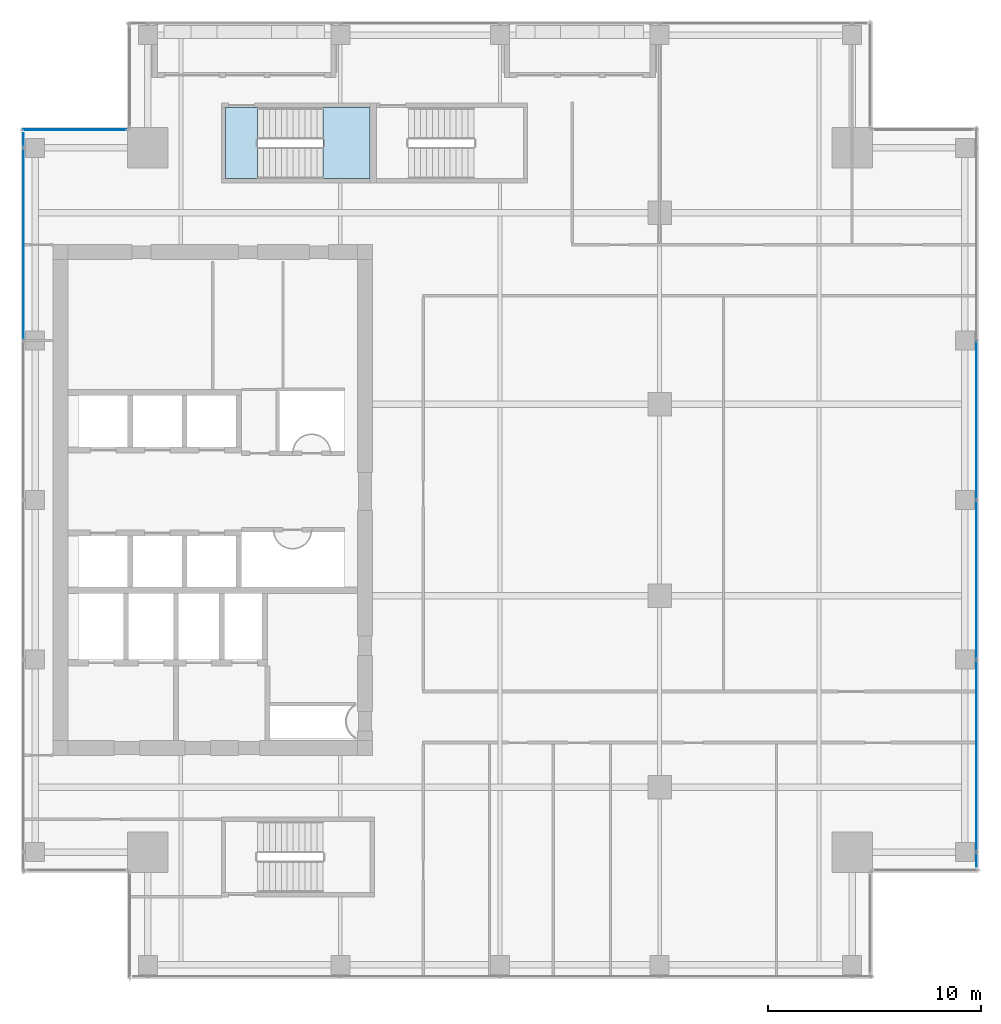
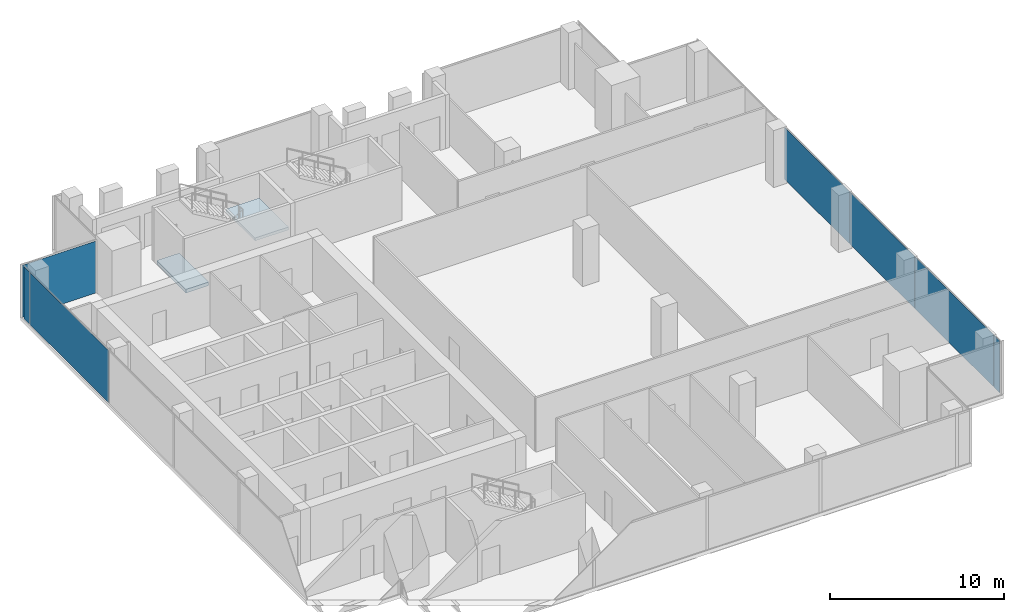
# One storey, part 27 of 35: 7 plates, 2 slabs, 4 elements without a shape of their own.
"""IFC4 building model written with IfcOpenShell, lengths in metres."""

from ifc_helpers import new_model, si_unit, direction, frame, origin, origin_2d, place, context, subcontext, project, spatial, polyline, rectangle, outline, extrude, source, transform, mapped, material, layer, layer_set, type_object, element, aggregate, save


model = new_model("IFC4")

# Units and contexts
model_context = context("Model", 3, precision=1e-05, world=origin(), true_north=direction((0.0, 1.0)))
body_context = subcontext(model_context, "Body", "Model", "MODEL_VIEW")
ifc_project = project(units=[si_unit("LENGTHUNIT", "METRE"), si_unit("AREAUNIT", "SQUARE_METRE"), si_unit("VOLUMEUNIT", "CUBIC_METRE"), si_unit("PLANEANGLEUNIT", "RADIAN"), si_unit("MASSUNIT", "GRAM", prefix="KILO")], contexts=[model_context])

# Site, building, storey
site_placement = place(None, origin())
site = spatial("IfcSite", under=ifc_project, at=site_placement, CompositionType="ELEMENT")
building_placement = place(site_placement, origin())
building = spatial("IfcBuilding", under=site, at=building_placement, Name="Khomas Fold Tower", CompositionType="ELEMENT")
storey_placement = place(building_placement, frame((0.0, 0.0, 270.199951171875)))
storey = spatial("IfcBuildingStorey", under=building, at=storey_placement, Name="L61", CompositionType="ELEMENT", Elevation=270.199951171875)

# Curtain wall, plate
ifc_material_1 = material(Name="Aluminium framed double glazing", Category="aluminium")
curtain_wall_type = type_object("IfcCurtainWallType", Name="SK-Unitised clear-glass wall, office floors CW2", PredefinedType="NOTDEFINED", material=ifc_material_1)
curtain_wall_1_placement = place(storey_placement, origin())
curtain_wall_1 = element("IfcCurtainWall", 1, at=curtain_wall_1_placement, inside=storey, type_object=curtain_wall_type, Name="CW2 run L61 03-0", PredefinedType="NOTDEFINED")
ifc_material_2 = material(Name="Clear double glazed unit")
ifc_layer_1 = layer(ifc_material_2, 0.030029296875)
ifc_layer_set_1 = layer_set([ifc_layer_1], Name="Clear double glazed unit")
plate_type = type_object("IfcPlateType", Name="SK-Unitised clear-glass wall, office floors glass panel CW2-P", PredefinedType="CURTAIN_PANEL", material=ifc_layer_set_1)
shared_shape_1 = source(origin(), body_context, "Body", "SweptSolid", [
    extrude(rectangle(XDim=0.659912109375, YDim=0.030029296875, at=origin_2d()), origin(), (0.0, 0.0, 1.0), 3.639892578125),
])
plate_1_placement = place(storey_placement, frame((49.39990234375, 10.090087890625, 0.0), z_axis=(0.0, 0.0, 1.0), x_axis=(0.0, 1.0, 0.0)))
plate_1 = element("IfcPlate", 2, at=plate_1_placement, type_object=plate_type, Name="CW2 glass panel 1", PredefinedType="CURTAIN_PANEL", context=body_context, shape_type="MappedRepresentation", body=[
    mapped(shared_shape_1, transform((0.0, 0.0, 0.0))),
])

curtain_wall_2_placement = place(storey_placement, origin())
curtain_wall_2 = element("IfcCurtainWall", 3, at=curtain_wall_2_placement, inside=storey, type_object=curtain_wall_type, Name="CW2 run L61 09-0", PredefinedType="NOTDEFINED")
plate_2_placement = place(storey_placement, frame((4.60009765625, 43.909912109375, 0.0), z_axis=(0.0, 0.0, 1.0), x_axis=(0.0, -1.0, 0.0)))
plate_2 = element("IfcPlate", 4, at=plate_2_placement, type_object=plate_type, Name="CW2 glass panel 1", PredefinedType="CURTAIN_PANEL", context=body_context, shape_type="MappedRepresentation", body=[
    mapped(shared_shape_1, transform((0.0, 0.0, 0.0))),
])

# Plate
shared_shape_2 = source(origin(), body_context, "Body", "SweptSolid", [
    extrude(rectangle(XDim=7.43994140625, YDim=0.030029296875, at=origin_2d()), origin(), (0.0, 0.0, 1.0), 3.639892578125),
])
plate_3_placement = place(storey_placement, frame((49.39990234375, 23.25, 0.0), z_axis=(0.0, 0.0, 1.0), x_axis=(0.0, 1.0, 0.0)))
plate_3 = element("IfcPlate", 5, at=plate_3_placement, type_object=plate_type, Name="CW2 glass panel 3", PredefinedType="CURTAIN_PANEL", context=body_context, shape_type="MappedRepresentation", body=[
    mapped(shared_shape_2, transform((0.0, 0.0, 0.0))),
])

plate_4_placement = place(storey_placement, frame((49.39990234375, 30.75, 0.0), z_axis=(0.0, 0.0, 1.0), x_axis=(0.0, 1.0, 0.0)))
plate_4 = element("IfcPlate", 6, at=plate_4_placement, type_object=plate_type, Name="CW2 glass panel 4", PredefinedType="CURTAIN_PANEL", context=body_context, shape_type="MappedRepresentation", body=[
    mapped(shared_shape_2, transform((0.0, 0.0, 0.0))),
])

shared_shape_3 = source(origin(), body_context, "Body", "SweptSolid", [
    extrude(rectangle(XDim=8.989990234375, YDim=0.030029296875, at=origin_2d()), origin(), (0.0, 0.0, 1.0), 3.639892578125),
])
plate_5_placement = place(storey_placement, frame((49.39990234375, 14.97509765625, 0.0), z_axis=(0.0, 0.0, 1.0), x_axis=(0.0, 1.0, 0.0)))
plate_5 = element("IfcPlate", 7, at=plate_5_placement, type_object=plate_type, Name="CW2 glass panel 2", PredefinedType="CURTAIN_PANEL", context=body_context, shape_type="MappedRepresentation", body=[
    mapped(shared_shape_3, transform((0.0, 0.0, 0.0))),
])

aggregate(curtain_wall_1, [plate_1, plate_5, plate_3, plate_4])

plate_6_placement = place(storey_placement, frame((4.60009765625, 39.02490234375, 0.0), z_axis=(0.0, 0.0, 1.0), x_axis=(0.0, -1.0, 0.0)))
plate_6 = element("IfcPlate", 8, at=plate_6_placement, type_object=plate_type, Name="CW2 glass panel 2", PredefinedType="CURTAIN_PANEL", context=body_context, shape_type="MappedRepresentation", body=[
    mapped(shared_shape_3, transform((0.0, 0.0, 0.0))),
])

aggregate(curtain_wall_2, [plate_2, plate_6])

# Curtain wall, plate
curtain_wall_3_placement = place(storey_placement, origin())
curtain_wall_3 = element("IfcCurtainWall", 9, at=curtain_wall_3_placement, inside=storey, type_object=curtain_wall_type, Name="CW2 corner return L61 08", PredefinedType="NOTDEFINED")
shared_shape_4 = source(origin(), body_context, "Body", "SweptSolid", [
    extrude(rectangle(XDim=4.8798828125, YDim=0.030029296875, at=origin_2d()), origin(), (0.0, 0.0, 1.0), 3.639892578125),
])
plate_7_placement = place(storey_placement, frame((7.0, 44.39990234375, 0.0), z_axis=(0.0, 0.0, 1.0), x_axis=(-1.0, 0.0, 0.0)))
plate_7 = element("IfcPlate", 10, at=plate_7_placement, type_object=plate_type, Name="CW2 glass panel 1", PredefinedType="CURTAIN_PANEL", context=body_context, shape_type="MappedRepresentation", body=[
    mapped(shared_shape_4, transform((0.0, 0.0, 0.0))),
])
aggregate(curtain_wall_3, [plate_7])

# Stair, slab
ifc_material_3 = material(Name="Concrete C40/50", Category="concrete")
stair_type = type_object("IfcStairType", Name="Stair ST1", PredefinedType="HALF_TURN_STAIR", material=ifc_material_3)
stair_placement = place(storey_placement, origin())
stair = element("IfcStair", 11, at=stair_placement, inside=storey, type_object=stair_type, Name="L61 ST1", PredefinedType="HALF_TURN_STAIR")
ifc_material_4 = material(Name="Concrete C40/50", Category="concrete")
ifc_layer_2 = layer(ifc_material_4, 0.199951171875)
ifc_layer_set_2 = layer_set([ifc_layer_2], Name="Concrete C40/50")
slab_type_1 = type_object("IfcSlabType", Name="Stair landing 200", PredefinedType="LANDING", material=ifc_layer_set_2)
shared_shape_5 = source(origin(), body_context, "Body", "SweptSolid", [
    extrude(outline(polyline([(18.679931640625, 42.10009765625), (20.89990234375, 42.10009765625), (20.89990234375, 45.449951171875), (18.679931640625, 45.449951171875), (18.679931640625, 42.10009765625)])), origin(), (0.0, 0.0, 1.0), 0.199951171875),
])
slab_1_placement = place(storey_placement, frame((0.0, 0.0, 1.800048828125)))
slab_1 = element("IfcSlab", 12, at=slab_1_placement, type_object=slab_type_1, Name="ST1 landing 1", PredefinedType="LANDING", context=body_context, shape_type="MappedRepresentation", body=[
    mapped(shared_shape_5, transform((0.0, 0.0, 0.0))),
])
aggregate(stair, [slab_1])

# Slab
ifc_material_5 = material(Name="Concrete C40/50", Category="concrete")
ifc_layer_3 = layer(ifc_material_5, 0.25)
ifc_layer_set_3 = layer_set([ifc_layer_3], Name="Concrete C40/50")
slab_type_2 = type_object("IfcSlabType", Name="Stair floor landing 250", PredefinedType="LANDING", material=ifc_layer_set_3)
shared_shape_6 = source(origin(), body_context, "Body", "SweptSolid", [
    extrude(outline(polyline([(15.60009765625, 42.10009765625), (14.10009765625, 42.10009765625), (14.10009765625, 45.449951171875), (15.60009765625, 45.449951171875), (15.60009765625, 42.10009765625)])), origin(), (0.0, 0.0, 1.0), 0.25),
])
slab_2_placement = place(storey_placement, frame((0.0, 0.0, -0.25)))
element("IfcSlab", 13, at=slab_2_placement, inside=storey, type_object=slab_type_2, Name="ST1 floor landing", PredefinedType="LANDING", context=body_context, shape_type="MappedRepresentation", body=[
    mapped(shared_shape_6, transform((0.0, 0.0, 0.0))),
])

save(model, "model.ifc")
